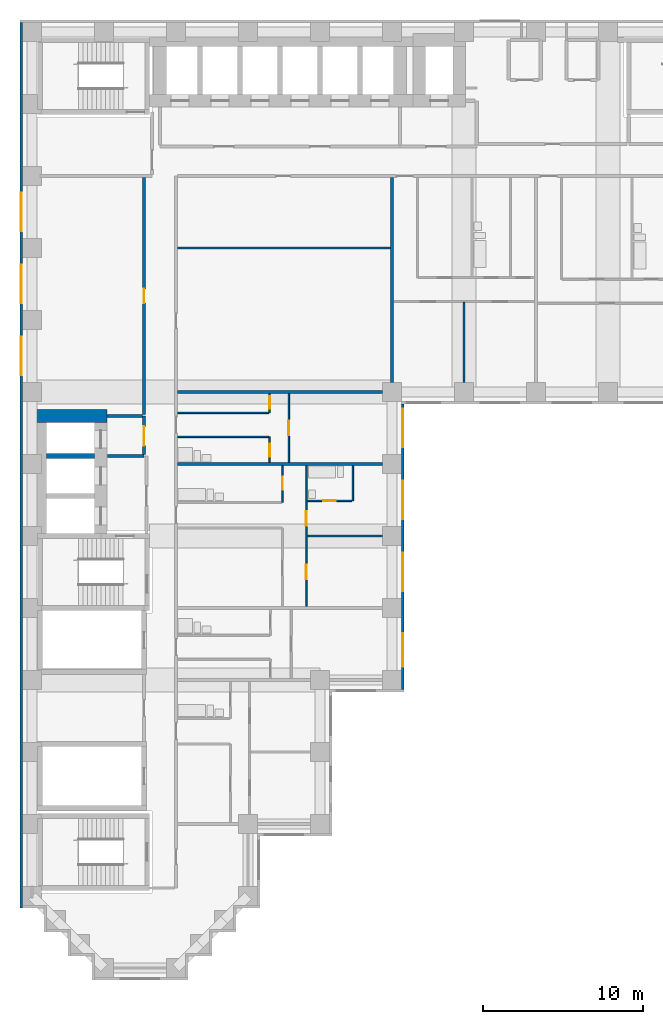
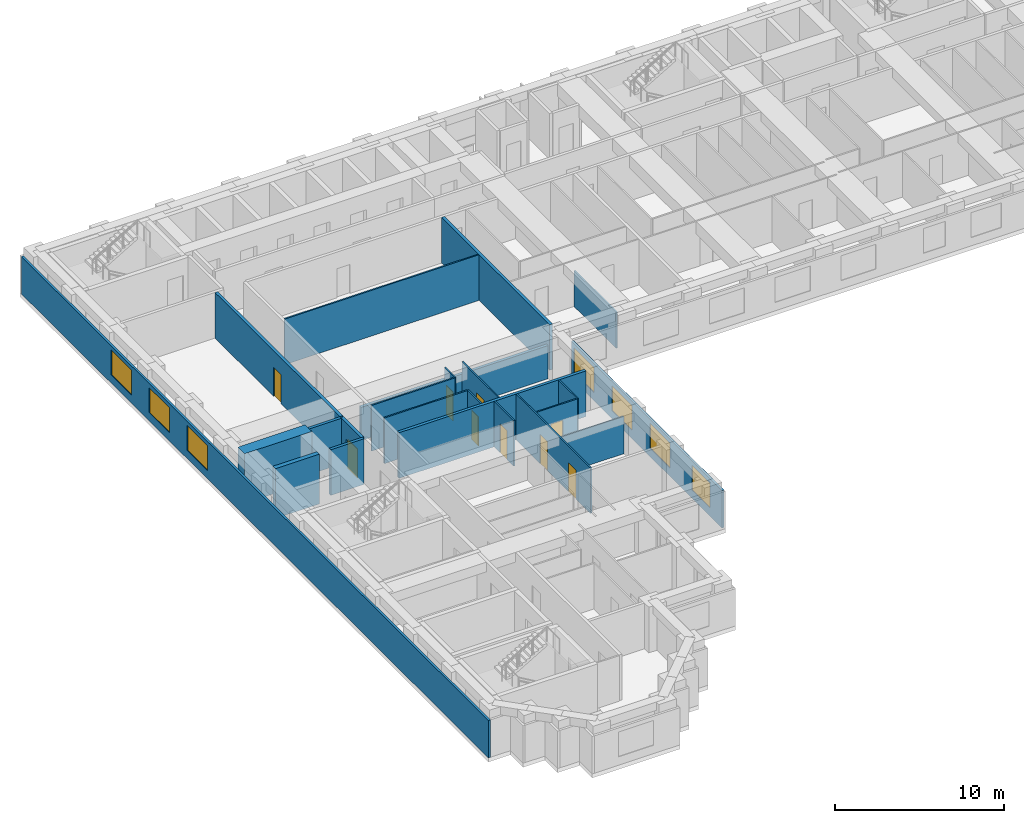
# One storey, part 4 of 11: 23 walls, 9 doors, 7 windows, 16 openings.
"""IFC4 building model written with IfcOpenShell, lengths in metres."""

from ifc_helpers import new_model, si_unit, direction, frame, frame_2d, origin, place, context, subcontext, project, spatial, rectangle, extrude, material, layer, layer_set, type_object, element, fill, save


model = new_model("IFC4")

# Units and contexts
model_context = context("Model", 3, precision=1e-05, world=origin(), true_north=direction((0.0, 1.0)))
body_context = subcontext(model_context, "Body", "Model", "MODEL_VIEW")
ifc_project = project(units=[si_unit("LENGTHUNIT", "METRE"), si_unit("AREAUNIT", "SQUARE_METRE"), si_unit("VOLUMEUNIT", "CUBIC_METRE"), si_unit("PLANEANGLEUNIT", "RADIAN"), si_unit("MASSUNIT", "GRAM", prefix="KILO")], contexts=[model_context])

# Site, building, storey
site_placement = place(None, origin())
site = spatial("IfcSite", under=ifc_project, at=site_placement, CompositionType="ELEMENT")
building_placement = place(site_placement, origin())
building = spatial("IfcBuilding", under=site, at=building_placement, Name="Firuza Court", CompositionType="ELEMENT")
storey_placement = place(building_placement, frame((0.0, 0.0, 86.60009765625)))
storey = spatial("IfcBuildingStorey", under=building, at=storey_placement, Name="L21", CompositionType="ELEMENT", Elevation=86.60009765625)

# Wall, opening, door
ifc_material_1 = material(Name="Moisture-resistant gypsum board partition")
ifc_layer_1 = layer(ifc_material_1, 0.10009765625)
ifc_layer_set_1 = layer_set([ifc_layer_1], Name="Moisture-resistant gypsum board partition")
wall_type_1 = type_object("IfcWallType", Name="Bathroom partition 100", PredefinedType="PLUMBINGWALL", material=ifc_layer_set_1)
wall_1_placement = place(storey_placement, frame((17.199951171875, 29.199951171875, 0.0), z_axis=(0.0, 0.0, 1.0), x_axis=(1.0, 0.0, 0.0)))
wall_1 = element("IfcWall", 1, at=wall_1_placement, inside=storey, type_object=wall_type_1, Name="Bathroom partition 100 L21", PredefinedType="PLUMBINGWALL", context=body_context, shape_type="SweptSolid", body=[
    extrude(rectangle(XDim=2.800048828125, YDim=0.10009765625, at=frame_2d((1.39990234375, 0.0))), origin(), (0.0, 0.0, 1.0), 3.2998046875),
])
opening_1_placement = place(wall_1_placement, frame((1.0, 0.0, 0.0)))
opening_1 = element("IfcOpeningElement", 2, at=opening_1_placement, cuts=wall_1, Name="Opening D21037", PredefinedType="OPENING", context=body_context, shape_type="SweptSolid", body=[
    extrude(rectangle(XDim=0.800048828125, YDim=2.10009765625, at=frame_2d((0.39990234375, 1.050048828125))), frame((0.0, 0.06201171875, 0.0), z_axis=(0.0, -1.0, 0.0), x_axis=(1.0, 0.0, 0.0)), (0.0, 0.0, 1.0), 0.1240234375),
])
ifc_material_2 = material(Name="Timber door leaf in hardwood frame", Category="wood")
door_type_1 = type_object("IfcDoorType", Name="Bathroom door 800", OperationType="SINGLE_SWING_LEFT", PredefinedType="DOOR", material=ifc_material_2)
door_1_placement = place(opening_1_placement, origin())
door_1 = element("IfcDoor", 3, at=door_1_placement, inside=storey, type_object=door_type_1, Name="En-suite door", OperationType="SINGLE_SWING_LEFT", OverallHeight=2.10009765625, OverallWidth=0.800048828125, PredefinedType="DOOR", context=body_context, shape_type="SweptSolid", body=[
    extrude(rectangle(XDim=0.800048828125, YDim=2.10009765625, at=frame_2d((0.39990234375, 1.050048828125))), frame((0.0, 0.02490234375, 0.0), z_axis=(0.0, -1.0, 0.0), x_axis=(1.0, 0.0, 0.0)), (0.0, 0.0, 1.0), 0.050048828125),
])
fill(opening_1, door_1)

# Walls
wall_2_placement = place(storey_placement, frame((20.050048828125, 29.199951171875, 0.0), z_axis=(0.0, 0.0, 1.0), x_axis=(0.0, 1.0, 0.0)))
element("IfcWall", 4, at=wall_2_placement, inside=storey, type_object=wall_type_1, Name="Bathroom partition 100 L21", PredefinedType="PLUMBINGWALL", context=body_context, shape_type="SweptSolid", body=[
    extrude(rectangle(XDim=2.199951171875, YDim=0.10009765625, at=frame_2d((1.10009765625, 0.0))), origin(), (0.0, 0.0, 1.0), 3.2998046875),
])
wall_3_placement = place(storey_placement, frame((9.10009765625, 33.199951171875, 0.0), z_axis=(0.0, 0.0, 1.0), x_axis=(1.0, 0.0, 0.0)))
element("IfcWall", 5, at=wall_3_placement, inside=storey, type_object=wall_type_1, Name="Bathroom partition 100 L21", PredefinedType="PLUMBINGWALL", context=body_context, shape_type="SweptSolid", body=[
    extrude(rectangle(XDim=5.699951171875, YDim=0.10009765625, at=frame_2d((2.85009765625, 0.0))), origin(), (0.0, 0.0, 1.0), 3.2998046875),
])
ifc_material_3 = material(Name="Concrete C60/75", Category="concrete")
ifc_layer_2 = layer(ifc_material_3, 0.300048828125)
ifc_layer_set_2 = layer_set([ifc_layer_2], Name="Concrete C60/75")
wall_type_2 = type_object("IfcWallType", Name="Core wall 300 C60/75", PredefinedType="SHEAR", material=ifc_layer_set_2)
wall_4_placement = place(storey_placement, frame((0.89990234375, 32.0, -0.300048828125), z_axis=(0.0, 0.0, 1.0), x_axis=(1.0, 0.0, 0.0)))
element("IfcWall", 6, at=wall_4_placement, inside=storey, type_object=wall_type_2, Name="Core wall lift shaft L21", PredefinedType="SHEAR", context=body_context, shape_type="SweptSolid", body=[
    extrude(rectangle(XDim=3.0, YDim=0.300048828125, at=frame_2d((1.5, 0.0))), origin(), (0.0, 0.0, 1.0), 3.599853515625),
])
ifc_layer_3 = layer(ifc_material_3, 0.800048828125)
ifc_layer_set_3 = layer_set([ifc_layer_3], Name="Concrete C60/75")
wall_type_3 = type_object("IfcWallType", Name="Core wall 800 C60/75", PredefinedType="SHEAR", material=ifc_layer_set_3)
wall_5_placement = place(storey_placement, frame((0.10009765625, 34.5, -0.300048828125), z_axis=(0.0, 0.0, 1.0), x_axis=(1.0, 0.0, 0.0)))
element("IfcWall", 7, at=wall_5_placement, inside=storey, type_object=wall_type_3, Name="Core wall lift shaft L21", PredefinedType="SHEAR", context=body_context, shape_type="SweptSolid", body=[
    extrude(rectangle(XDim=4.599853515625, YDim=0.800048828125, at=frame_2d((2.2998046875, 0.0))), origin(), (0.0, 0.0, 1.0), 3.599853515625),
])

# Wall, opening, door
ifc_material_4 = material(Name="Blockwork, plastered both sides", Category="masonry")
ifc_layer_4 = layer(ifc_material_4, 0.199951171875)
ifc_layer_set_4 = layer_set([ifc_layer_4], Name="Blockwork, plastered both sides")
wall_type_4 = type_object("IfcWallType", Name="Corridor wall 200", PredefinedType="PARTITIONING", material=ifc_layer_set_4)
wall_6_placement = place(storey_placement, frame((7.0, 34.60009765625, 0.0), z_axis=(0.0, 0.0, 1.0), x_axis=(0.0, 1.0, 0.0)))
wall_6 = element("IfcWall", 8, at=wall_6_placement, inside=storey, type_object=wall_type_4, Name="Corridor wall 200 L21", PredefinedType="PARTITIONING", context=body_context, shape_type="SweptSolid", body=[
    extrude(rectangle(XDim=14.7998046875, YDim=0.199951171875, at=frame_2d((7.39990234375, 0.0))), origin(), (0.0, 0.0, 1.0), 3.2998046875),
])
opening_2_placement = place(wall_6_placement, frame((6.949951171875, 0.0, 0.0)))
opening_2 = element("IfcOpeningElement", 9, at=opening_2_placement, cuts=wall_6, Name="Opening D21040", PredefinedType="OPENING", context=body_context, shape_type="SweptSolid", body=[
    extrude(rectangle(XDim=0.89990234375, YDim=2.10009765625, at=frame_2d((0.449951171875, 1.050048828125))), frame((0.0, 0.11181640625, 0.0), z_axis=(0.0, -1.0, 0.0), x_axis=(1.0, 0.0, 0.0)), (0.0, 0.0, 1.0), 0.223876953125),
])
ifc_material_5 = material(Name="Timber door leaf in hardwood frame", Category="wood")
door_type_2 = type_object("IfcDoorType", Name="Room door 900 EI 30", OperationType="SINGLE_SWING_LEFT", PredefinedType="DOOR", material=ifc_material_5)
door_2_placement = place(opening_2_placement, origin())
door_2 = element("IfcDoor", 10, at=door_2_placement, inside=storey, type_object=door_type_2, Name="Residents' workroom door", OperationType="SINGLE_SWING_LEFT", OverallHeight=2.10009765625, OverallWidth=0.89990234375, PredefinedType="DOOR", context=body_context, shape_type="SweptSolid", body=[
    extrude(rectangle(XDim=0.89990234375, YDim=2.10009765625, at=frame_2d((0.449951171875, 1.050048828125))), frame((0.0, 0.02490234375, 0.0), z_axis=(0.0, -1.0, 0.0), x_axis=(1.0, 0.0, 0.0)), (0.0, 0.0, 1.0), 0.050048828125),
])
fill(opening_2, door_2)

# Wall, openings, doors
ifc_material_6 = material(Name="Timber stud partition, plasterboard both sides", Category="wood")
ifc_layer_5 = layer(ifc_material_6, 0.10009765625)
ifc_layer_set_5 = layer_set([ifc_layer_5], Name="Timber stud partition, plasterboard both sides")
wall_type_5 = type_object("IfcWallType", Name="Partition wall 100", PredefinedType="PARTITIONING", material=ifc_layer_set_5)
wall_7_placement = place(storey_placement, frame((17.14990234375, 22.60009765625, 0.0), z_axis=(0.0, 0.0, 1.0), x_axis=(0.0, 1.0, 0.0)))
wall_7 = element("IfcWall", 11, at=wall_7_placement, inside=storey, type_object=wall_type_5, Name="Partition wall 100 L21", PredefinedType="PARTITIONING", context=body_context, shape_type="SweptSolid", body=[
    extrude(rectangle(XDim=8.7998046875, YDim=0.10009765625, at=frame_2d((4.39990234375, 0.0))), origin(), (0.0, 0.0, 1.0), 3.2998046875),
])
opening_3_placement = place(wall_7_placement, frame((1.699951171875, 0.0, 0.0)))
opening_3 = element("IfcOpeningElement", 12, at=opening_3_placement, cuts=wall_7, Name="Opening D21034", PredefinedType="OPENING", context=body_context, shape_type="SweptSolid", body=[
    extrude(rectangle(XDim=0.89990234375, YDim=2.10009765625, at=frame_2d((0.449951171875, 1.050048828125))), frame((0.0, 0.06201171875, 0.0), z_axis=(0.0, -1.0, 0.0), x_axis=(1.0, 0.0, 0.0)), (0.0, 0.0, 1.0), 0.1240234375),
])
opening_4_placement = place(wall_7_placement, frame((5.050048828125, 0.0, 0.0)))
opening_4 = element("IfcOpeningElement", 13, at=opening_4_placement, cuts=wall_7, Name="Opening D21035", PredefinedType="OPENING", context=body_context, shape_type="SweptSolid", body=[
    extrude(rectangle(XDim=0.89990234375, YDim=2.10009765625, at=frame_2d((0.449951171875, 1.050048828125))), frame((0.0, 0.06201171875, 0.0), z_axis=(0.0, -1.0, 0.0), x_axis=(1.0, 0.0, 0.0)), (0.0, 0.0, 1.0), 0.1240234375),
])
ifc_material_7 = material(Name="Timber door leaf in hardwood frame", Category="wood")
door_type_3 = type_object("IfcDoorType", Name="Room door 900", OperationType="SINGLE_SWING_LEFT", PredefinedType="DOOR", material=ifc_material_7)
door_3_placement = place(opening_3_placement, frame((0.89990234375, 0.0, 0.0), z_axis=(0.0, 0.0, 1.0), x_axis=(-1.0, 0.0, 0.0)))
door_3 = element("IfcDoor", 14, at=door_3_placement, inside=storey, type_object=door_type_3, Name="Living room door", OperationType="SINGLE_SWING_RIGHT", OverallHeight=2.10009765625, OverallWidth=0.89990234375, PredefinedType="DOOR", context=body_context, shape_type="SweptSolid", body=[
    extrude(rectangle(XDim=0.89990234375, YDim=2.10009765625, at=frame_2d((0.449951171875, 1.050048828125))), frame((0.0, 0.02490234375, 0.0), z_axis=(0.0, -1.0, 0.0), x_axis=(1.0, 0.0, 0.0)), (0.0, 0.0, 1.0), 0.050048828125),
])
fill(opening_3, door_3)
door_4_placement = place(opening_4_placement, frame((0.89990234375, 0.0, 0.0), z_axis=(0.0, 0.0, 1.0), x_axis=(-1.0, 0.0, 0.0)))
door_4 = element("IfcDoor", 15, at=door_4_placement, inside=storey, type_object=door_type_3, Name="Bedroom door", OperationType="SINGLE_SWING_RIGHT", OverallHeight=2.10009765625, OverallWidth=0.89990234375, PredefinedType="DOOR", context=body_context, shape_type="SweptSolid", body=[
    extrude(rectangle(XDim=0.89990234375, YDim=2.10009765625, at=frame_2d((0.449951171875, 1.050048828125))), frame((0.0, 0.02490234375, 0.0), z_axis=(0.0, -1.0, 0.0), x_axis=(1.0, 0.0, 0.0)), (0.0, 0.0, 1.0), 0.050048828125),
])
fill(opening_4, door_4)

# Wall
wall_8_placement = place(storey_placement, frame((17.199951171875, 27.0, 0.0), z_axis=(0.0, 0.0, 1.0), x_axis=(1.0, 0.0, 0.0)))
element("IfcWall", 16, at=wall_8_placement, inside=storey, type_object=wall_type_5, Name="Partition wall 100 L21", PredefinedType="PARTITIONING", context=body_context, shape_type="SweptSolid", body=[
    extrude(rectangle(XDim=4.699951171875, YDim=0.10009765625, at=frame_2d((2.35009765625, 0.0))), origin(), (0.0, 0.0, 1.0), 2.699951171875),
])

# Wall, opening, door
wall_9_placement = place(storey_placement, frame((15.64990234375, 29.10009765625, 0.0), z_axis=(0.0, 0.0, 1.0), x_axis=(0.0, 1.0, 0.0)))
wall_9 = element("IfcWall", 17, at=wall_9_placement, inside=storey, type_object=wall_type_5, Name="Partition wall 100 L21", PredefinedType="PARTITIONING", context=body_context, shape_type="SweptSolid", body=[
    extrude(rectangle(XDim=2.2998046875, YDim=0.10009765625, at=frame_2d((1.14990234375, 0.0))), origin(), (0.0, 0.0, 1.0), 3.2998046875),
])
opening_5_placement = place(wall_9_placement, frame((0.800048828125, 0.0, 0.0)))
opening_5 = element("IfcOpeningElement", 18, at=opening_5_placement, cuts=wall_9, Name="Opening D21036", PredefinedType="OPENING", context=body_context, shape_type="SweptSolid", body=[
    extrude(rectangle(XDim=0.800048828125, YDim=2.10009765625, at=frame_2d((0.39990234375, 1.050048828125))), frame((0.0, 0.06201171875, 0.0), z_axis=(0.0, -1.0, 0.0), x_axis=(1.0, 0.0, 0.0)), (0.0, 0.0, 1.0), 0.1240234375),
])
door_5_placement = place(opening_5_placement, origin())
door_5 = element("IfcDoor", 19, at=door_5_placement, inside=storey, type_object=door_type_1, Name="Bathroom door", OperationType="SINGLE_SWING_LEFT", OverallHeight=2.10009765625, OverallWidth=0.800048828125, PredefinedType="DOOR", context=body_context, shape_type="SweptSolid", body=[
    extrude(rectangle(XDim=0.800048828125, YDim=2.10009765625, at=frame_2d((0.39990234375, 1.050048828125))), frame((0.0, 0.02490234375, 0.0), z_axis=(0.0, -1.0, 0.0), x_axis=(1.0, 0.0, 0.0)), (0.0, 0.0, 1.0), 0.050048828125),
])
fill(opening_5, door_5)

wall_10_placement = place(storey_placement, frame((14.85009765625, 31.60009765625, 0.0), z_axis=(0.0, 0.0, 1.0), x_axis=(0.0, 1.0, 0.0)))
wall_10 = element("IfcWall", 20, at=wall_10_placement, inside=storey, type_object=wall_type_5, Name="Partition wall 100 L21", PredefinedType="PARTITIONING", context=body_context, shape_type="SweptSolid", body=[
    extrude(rectangle(XDim=1.599853515625, YDim=0.10009765625, at=frame_2d((0.7998046875, 0.0))), origin(), (0.0, 0.0, 1.0), 3.2998046875),
])
opening_6_placement = place(wall_10_placement, frame((0.35009765625, 0.0, 0.0)))
opening_6 = element("IfcOpeningElement", 21, at=opening_6_placement, cuts=wall_10, Name="Opening D21038", PredefinedType="OPENING", context=body_context, shape_type="SweptSolid", body=[
    extrude(rectangle(XDim=0.800048828125, YDim=2.10009765625, at=frame_2d((0.39990234375, 1.050048828125))), frame((0.0, 0.06201171875, 0.0), z_axis=(0.0, -1.0, 0.0), x_axis=(1.0, 0.0, 0.0)), (0.0, 0.0, 1.0), 0.1240234375),
])
door_6_placement = place(opening_6_placement, origin())
door_6 = element("IfcDoor", 22, at=door_6_placement, inside=storey, type_object=door_type_1, Name="Bathroom door", OperationType="SINGLE_SWING_LEFT", OverallHeight=2.10009765625, OverallWidth=0.800048828125, PredefinedType="DOOR", context=body_context, shape_type="SweptSolid", body=[
    extrude(rectangle(XDim=0.800048828125, YDim=2.10009765625, at=frame_2d((0.39990234375, 1.050048828125))), frame((0.0, 0.02490234375, 0.0), z_axis=(0.0, -1.0, 0.0), x_axis=(1.0, 0.0, 0.0)), (0.0, 0.0, 1.0), 0.050048828125),
])
fill(opening_6, door_6)

wall_11_placement = place(storey_placement, frame((16.050048828125, 31.60009765625, 0.0), z_axis=(0.0, 0.0, 1.0), x_axis=(0.0, 1.0, 0.0)))
wall_11 = element("IfcWall", 23, at=wall_11_placement, inside=storey, type_object=wall_type_5, Name="Partition wall 100 L21", PredefinedType="PARTITIONING", context=body_context, shape_type="SweptSolid", body=[
    extrude(rectangle(XDim=4.2998046875, YDim=0.10009765625, at=frame_2d((2.14990234375, 0.0))), origin(), (0.0, 0.0, 1.0), 3.2998046875),
])
opening_7_placement = place(wall_11_placement, frame((1.699951171875, 0.0, 0.0)))
opening_7 = element("IfcOpeningElement", 24, at=opening_7_placement, cuts=wall_11, Name="Opening D21039", PredefinedType="OPENING", context=body_context, shape_type="SweptSolid", body=[
    extrude(rectangle(XDim=0.89990234375, YDim=2.10009765625, at=frame_2d((0.449951171875, 1.050048828125))), frame((0.0, 0.06201171875, 0.0), z_axis=(0.0, -1.0, 0.0), x_axis=(1.0, 0.0, 0.0)), (0.0, 0.0, 1.0), 0.1240234375),
])
door_7_placement = place(opening_7_placement, frame((0.89990234375, 0.0, 0.0), z_axis=(0.0, 0.0, 1.0), x_axis=(-1.0, 0.0, 0.0)))
door_7 = element("IfcDoor", 25, at=door_7_placement, inside=storey, type_object=door_type_3, Name="Studio room door", OperationType="SINGLE_SWING_RIGHT", OverallHeight=2.10009765625, OverallWidth=0.89990234375, PredefinedType="DOOR", context=body_context, shape_type="SweptSolid", body=[
    extrude(rectangle(XDim=0.89990234375, YDim=2.10009765625, at=frame_2d((0.449951171875, 1.050048828125))), frame((0.0, 0.02490234375, 0.0), z_axis=(0.0, -1.0, 0.0), x_axis=(1.0, 0.0, 0.0)), (0.0, 0.0, 1.0), 0.050048828125),
])
fill(opening_7, door_7)

# Wall
wall_12_placement = place(storey_placement, frame((9.10009765625, 34.699951171875, 0.0), z_axis=(0.0, 0.0, 1.0), x_axis=(1.0, 0.0, 0.0)))
element("IfcWall", 26, at=wall_12_placement, inside=storey, type_object=wall_type_5, Name="Partition wall 100 L21", PredefinedType="PARTITIONING", context=body_context, shape_type="SweptSolid", body=[
    extrude(rectangle(XDim=5.699951171875, YDim=0.10009765625, at=frame_2d((2.85009765625, 0.0))), origin(), (0.0, 0.0, 1.0), 3.2998046875),
])

# Wall, opening, door
wall_13_placement = place(storey_placement, frame((14.85009765625, 34.699951171875, 0.0), z_axis=(0.0, 0.0, 1.0), x_axis=(0.0, 1.0, 0.0)))
wall_13 = element("IfcWall", 27, at=wall_13_placement, inside=storey, type_object=wall_type_5, Name="Partition wall 100 L21", PredefinedType="PARTITIONING", context=body_context, shape_type="SweptSolid", body=[
    extrude(rectangle(XDim=1.199951171875, YDim=0.10009765625, at=frame_2d((0.60009765625, 0.0))), origin(), (0.0, 0.0, 1.0), 3.2998046875),
])
opening_8_placement = place(wall_13_placement, frame((0.25, 0.0, 0.0)))
opening_8 = element("IfcOpeningElement", 28, at=opening_8_placement, cuts=wall_13, Name="Opening D21041", PredefinedType="OPENING", context=body_context, shape_type="SweptSolid", body=[
    extrude(rectangle(XDim=0.800048828125, YDim=2.10009765625, at=frame_2d((0.39990234375, 1.050048828125))), frame((0.0, 0.06201171875, 0.0), z_axis=(0.0, -1.0, 0.0), x_axis=(1.0, 0.0, 0.0)), (0.0, 0.0, 1.0), 0.1240234375),
])
ifc_material_8 = material(Name="Timber door leaf in hardwood frame", Category="wood")
door_type_4 = type_object("IfcDoorType", Name="Room door 800", OperationType="SINGLE_SWING_LEFT", PredefinedType="DOOR", material=ifc_material_8)
door_8_placement = place(opening_8_placement, origin())
door_8 = element("IfcDoor", 29, at=door_8_placement, inside=storey, type_object=door_type_4, Name="Kitchen door", OperationType="SINGLE_SWING_LEFT", OverallHeight=2.10009765625, OverallWidth=0.800048828125, PredefinedType="DOOR", context=body_context, shape_type="SweptSolid", body=[
    extrude(rectangle(XDim=0.800048828125, YDim=2.10009765625, at=frame_2d((0.39990234375, 1.050048828125))), frame((0.0, 0.02490234375, 0.0), z_axis=(0.0, -1.0, 0.0), x_axis=(1.0, 0.0, 0.0)), (0.0, 0.0, 1.0), 0.050048828125),
])
fill(opening_8, door_8)

# Walls
wall_14_placement = place(storey_placement, frame((27.0, 36.60009765625, 0.0), z_axis=(0.0, 0.0, 1.0), x_axis=(0.0, 1.0, 0.0)))
element("IfcWall", 30, at=wall_14_placement, inside=storey, type_object=wall_type_5, Name="Partition wall 100 L21", PredefinedType="PARTITIONING", context=body_context, shape_type="SweptSolid", body=[
    extrude(rectangle(XDim=5.0, YDim=0.10009765625, at=frame_2d((2.5, 0.0))), origin(), (0.0, 0.0, 1.0), 2.599853515625),
])
wall_15_placement = place(storey_placement, frame((9.10009765625, 45.0, 0.0), z_axis=(0.0, 0.0, 1.0), x_axis=(1.0, 0.0, 0.0)))
element("IfcWall", 31, at=wall_15_placement, inside=storey, type_object=wall_type_5, Name="Partition wall 100 L21", PredefinedType="PARTITIONING", context=body_context, shape_type="SweptSolid", body=[
    extrude(rectangle(XDim=13.2998046875, YDim=0.10009765625, at=frame_2d((6.64990234375, 0.0))), origin(), (0.0, 0.0, 1.0), 3.2998046875),
])
ifc_layer_6 = layer(ifc_material_4, 0.199951171875)
ifc_layer_set_6 = layer_set([ifc_layer_6], Name="Blockwork, plastered both sides")
wall_type_6 = type_object("IfcWallType", Name="Party wall 200", PredefinedType="PARTITIONING", material=ifc_layer_set_6)
wall_16_placement = place(storey_placement, frame((9.10009765625, 31.5, 0.0), z_axis=(0.0, 0.0, 1.0), x_axis=(1.0, 0.0, 0.0)))
element("IfcWall", 32, at=wall_16_placement, inside=storey, type_object=wall_type_6, Name="Party wall 200 L21", PredefinedType="PARTITIONING", context=body_context, shape_type="SweptSolid", body=[
    extrude(rectangle(XDim=12.7998046875, YDim=0.199951171875, at=frame_2d((6.39990234375, 0.0))), origin(), (0.0, 0.0, 1.0), 3.2998046875),
])
wall_17_placement = place(storey_placement, frame((9.10009765625, 36.0, 0.0), z_axis=(0.0, 0.0, 1.0), x_axis=(1.0, 0.0, 0.0)))
element("IfcWall", 33, at=wall_17_placement, inside=storey, type_object=wall_type_6, Name="Party wall 200 L21", PredefinedType="PARTITIONING", context=body_context, shape_type="SweptSolid", body=[
    extrude(rectangle(XDim=12.7998046875, YDim=0.199951171875, at=frame_2d((6.39990234375, 0.0))), origin(), (0.0, 0.0, 1.0), 2.39990234375),
])
wall_18_placement = place(storey_placement, frame((22.5, 36.60009765625, 0.0), z_axis=(0.0, 0.0, 1.0), x_axis=(0.0, 1.0, 0.0)))
element("IfcWall", 34, at=wall_18_placement, inside=storey, type_object=wall_type_6, Name="Party wall 200 L21", PredefinedType="PARTITIONING", context=body_context, shape_type="SweptSolid", body=[
    extrude(rectangle(XDim=12.7998046875, YDim=0.199951171875, at=frame_2d((6.39990234375, 0.0))), origin(), (0.0, 0.0, 1.0), 3.2998046875),
])

# Wall, openings, windows
ifc_material_9 = material(Name="Ceramic tile", Category="ceramic")
ifc_layer_7 = layer(ifc_material_9, 0.02001953125)
ifc_material_10 = material(Name="Mineral wool insulation", Category="insulation")
ifc_layer_8 = layer(ifc_material_10, 0.050048828125)
ifc_material_11 = material(Name="Concrete C40/50 precast", Category="concrete")
ifc_layer_9 = layer(ifc_material_11, 0.080078125)
ifc_layer_set_7 = layer_set([ifc_layer_7, ifc_layer_8, ifc_layer_9], Name="Concrete C40/50 precast")
wall_type_7 = type_object("IfcWallType", Name="Precast cladding wall with turquoise TILE PANEL face 150", PredefinedType="STANDARD", material=ifc_layer_set_7)
wall_19_placement = place(storey_placement, frame((23.175048828125, 17.39990234375, 0.0), z_axis=(0.0, 0.0, 1.0), x_axis=(0.0, 1.0, 0.0)))
wall_19 = element("IfcWall", 35, at=wall_19_placement, inside=storey, type_object=wall_type_7, Name="Facade wall L21 E", PredefinedType="STANDARD", context=body_context, shape_type="SweptSolid", body=[
    extrude(rectangle(XDim=17.85009765625, YDim=0.14990234375, at=frame_2d((8.925048828125, 0.0))), origin(), (0.0, 0.0, 1.0), 2.699951171875),
])
opening_9_placement = place(wall_19_placement, frame((1.43505859375, 0.0, 0.60009765625)))
opening_9 = element("IfcOpeningElement", 36, at=opening_9_placement, cuts=wall_19, Name="Opening W6", PredefinedType="OPENING", context=body_context, shape_type="SweptSolid", body=[
    extrude(rectangle(XDim=2.10009765625, YDim=1.800048828125, at=frame_2d((1.050048828125, 0.89990234375))), frame((0.0, 0.0869140625, 0.0), z_axis=(0.0, -1.0, 0.0), x_axis=(1.0, 0.0, 0.0)), (0.0, 0.0, 1.0), 0.173828125),
])
opening_10_placement = place(wall_19_placement, frame((6.14990234375, 0.0, 0.60009765625)))
opening_10 = element("IfcOpeningElement", 37, at=opening_10_placement, cuts=wall_19, Name="Opening W1", PredefinedType="OPENING", context=body_context, shape_type="SweptSolid", body=[
    extrude(rectangle(XDim=2.39990234375, YDim=1.800048828125, at=frame_2d((1.199951171875, 0.89990234375))), frame((0.0, 0.0869140625, 0.0), z_axis=(0.0, -1.0, 0.0), x_axis=(1.0, 0.0, 0.0)), (0.0, 0.0, 1.0), 0.173828125),
])
opening_11_placement = place(wall_19_placement, frame((10.64990234375, 0.0, 0.60009765625)))
opening_11 = element("IfcOpeningElement", 38, at=opening_11_placement, cuts=wall_19, Name="Opening W1", PredefinedType="OPENING", context=body_context, shape_type="SweptSolid", body=[
    extrude(rectangle(XDim=2.39990234375, YDim=1.800048828125, at=frame_2d((1.199951171875, 0.89990234375))), frame((0.0, 0.0869140625, 0.0), z_axis=(0.0, -1.0, 0.0), x_axis=(1.0, 0.0, 0.0)), (0.0, 0.0, 1.0), 0.173828125),
])
opening_12_placement = place(wall_19_placement, frame((15.14990234375, 0.0, 0.60009765625)))
opening_12 = element("IfcOpeningElement", 39, at=opening_12_placement, cuts=wall_19, Name="Opening W1", PredefinedType="OPENING", context=body_context, shape_type="SweptSolid", body=[
    extrude(rectangle(XDim=2.39990234375, YDim=1.800048828125, at=frame_2d((1.199951171875, 0.89990234375))), frame((0.0, 0.0869140625, 0.0), z_axis=(0.0, -1.0, 0.0), x_axis=(1.0, 0.0, 0.0)), (0.0, 0.0, 1.0), 0.173828125),
])
ifc_material_12 = material(Name="Aluminium frame, triple clear glazing", Category="aluminium")
window_type_1 = type_object("IfcWindowType", Name="Window W1 2400 x 1800", PartitioningType="SINGLE_PANEL", PredefinedType="WINDOW", material=ifc_material_12)
window_1_placement = place(opening_10_placement, origin())
window_1 = element("IfcWindow", 40, at=window_1_placement, inside=storey, type_object=window_type_1, Name="Window L21", OverallHeight=1.800048828125, OverallWidth=2.39990234375, PartitioningType="SINGLE_PANEL", PredefinedType="WINDOW", context=body_context, shape_type="SweptSolid", body=[
    extrude(rectangle(XDim=2.39990234375, YDim=1.800048828125, at=frame_2d((1.199951171875, 0.89990234375))), frame((0.0, 0.030029296875, 0.0), z_axis=(0.0, -1.0, 0.0), x_axis=(1.0, 0.0, 0.0)), (0.0, 0.0, 1.0), 0.06005859375),
])
fill(opening_10, window_1)
window_2_placement = place(opening_11_placement, origin())
window_2 = element("IfcWindow", 41, at=window_2_placement, inside=storey, type_object=window_type_1, Name="Window L21", OverallHeight=1.800048828125, OverallWidth=2.39990234375, PartitioningType="SINGLE_PANEL", PredefinedType="WINDOW", context=body_context, shape_type="SweptSolid", body=[
    extrude(rectangle(XDim=2.39990234375, YDim=1.800048828125, at=frame_2d((1.199951171875, 0.89990234375))), frame((0.0, 0.030029296875, 0.0), z_axis=(0.0, -1.0, 0.0), x_axis=(1.0, 0.0, 0.0)), (0.0, 0.0, 1.0), 0.06005859375),
])
fill(opening_11, window_2)
window_3_placement = place(opening_12_placement, origin())
window_3 = element("IfcWindow", 42, at=window_3_placement, inside=storey, type_object=window_type_1, Name="Window L21", OverallHeight=1.800048828125, OverallWidth=2.39990234375, PartitioningType="SINGLE_PANEL", PredefinedType="WINDOW", context=body_context, shape_type="SweptSolid", body=[
    extrude(rectangle(XDim=2.39990234375, YDim=1.800048828125, at=frame_2d((1.199951171875, 0.89990234375))), frame((0.0, 0.030029296875, 0.0), z_axis=(0.0, -1.0, 0.0), x_axis=(1.0, 0.0, 0.0)), (0.0, 0.0, 1.0), 0.06005859375),
])
fill(opening_12, window_3)
ifc_material_13 = material(Name="Aluminium frame, triple clear glazing", Category="aluminium")
window_type_2 = type_object("IfcWindowType", Name="Window W6 2100 x 1800", PartitioningType="SINGLE_PANEL", PredefinedType="WINDOW", material=ifc_material_13)
window_4_placement = place(opening_9_placement, origin())
window_4 = element("IfcWindow", 43, at=window_4_placement, inside=storey, type_object=window_type_2, Name="Window L21", OverallHeight=1.800048828125, OverallWidth=2.10009765625, PartitioningType="SINGLE_PANEL", PredefinedType="WINDOW", context=body_context, shape_type="SweptSolid", body=[
    extrude(rectangle(XDim=2.10009765625, YDim=1.800048828125, at=frame_2d((1.050048828125, 0.89990234375))), frame((0.0, 0.030029296875, 0.0), z_axis=(0.0, -1.0, 0.0), x_axis=(1.0, 0.0, 0.0)), (0.0, 0.0, 1.0), 0.06005859375),
])
fill(opening_9, window_4)

wall_20_placement = place(storey_placement, frame((-0.675048828125, 59.10009765625, 0.0), z_axis=(0.0, 0.0, 1.0), x_axis=(0.0, -1.0, 0.0)))
wall_20 = element("IfcWall", 44, at=wall_20_placement, inside=storey, type_object=wall_type_7, Name="Facade wall L21 W", PredefinedType="STANDARD", context=body_context, shape_type="SweptSolid", body=[
    extrude(rectangle(XDim=55.35009765625, YDim=0.14990234375, at=frame_2d((27.675048828125, 0.0))), origin(), (0.0, 0.0, 1.0), 2.699951171875),
])
opening_13_placement = place(wall_20_placement, frame((10.64990234375, 0.0, 0.60009765625)))
opening_13 = element("IfcOpeningElement", 45, at=opening_13_placement, cuts=wall_20, Name="Opening W1", PredefinedType="OPENING", context=body_context, shape_type="SweptSolid", body=[
    extrude(rectangle(XDim=2.39990234375, YDim=1.800048828125, at=frame_2d((1.199951171875, 0.89990234375))), frame((0.0, 0.0869140625, 0.0), z_axis=(0.0, -1.0, 0.0), x_axis=(1.0, 0.0, 0.0)), (0.0, 0.0, 1.0), 0.173828125),
])
opening_14_placement = place(wall_20_placement, frame((15.14990234375, 0.0, 0.60009765625)))
opening_14 = element("IfcOpeningElement", 46, at=opening_14_placement, cuts=wall_20, Name="Opening W1", PredefinedType="OPENING", context=body_context, shape_type="SweptSolid", body=[
    extrude(rectangle(XDim=2.39990234375, YDim=1.800048828125, at=frame_2d((1.199951171875, 0.89990234375))), frame((0.0, 0.0869140625, 0.0), z_axis=(0.0, -1.0, 0.0), x_axis=(1.0, 0.0, 0.0)), (0.0, 0.0, 1.0), 0.173828125),
])
opening_15_placement = place(wall_20_placement, frame((19.64990234375, 0.0, 0.60009765625)))
opening_15 = element("IfcOpeningElement", 47, at=opening_15_placement, cuts=wall_20, Name="Opening W1", PredefinedType="OPENING", context=body_context, shape_type="SweptSolid", body=[
    extrude(rectangle(XDim=2.39990234375, YDim=1.800048828125, at=frame_2d((1.199951171875, 0.89990234375))), frame((0.0, 0.0869140625, 0.0), z_axis=(0.0, -1.0, 0.0), x_axis=(1.0, 0.0, 0.0)), (0.0, 0.0, 1.0), 0.173828125),
])
window_5_placement = place(opening_13_placement, origin())
window_5 = element("IfcWindow", 48, at=window_5_placement, inside=storey, type_object=window_type_1, Name="Window L21", OverallHeight=1.800048828125, OverallWidth=2.39990234375, PartitioningType="SINGLE_PANEL", PredefinedType="WINDOW", context=body_context, shape_type="SweptSolid", body=[
    extrude(rectangle(XDim=2.39990234375, YDim=1.800048828125, at=frame_2d((1.199951171875, 0.89990234375))), frame((0.0, 0.030029296875, 0.0), z_axis=(0.0, -1.0, 0.0), x_axis=(1.0, 0.0, 0.0)), (0.0, 0.0, 1.0), 0.06005859375),
])
fill(opening_13, window_5)
window_6_placement = place(opening_14_placement, origin())
window_6 = element("IfcWindow", 49, at=window_6_placement, inside=storey, type_object=window_type_1, Name="Window L21", OverallHeight=1.800048828125, OverallWidth=2.39990234375, PartitioningType="SINGLE_PANEL", PredefinedType="WINDOW", context=body_context, shape_type="SweptSolid", body=[
    extrude(rectangle(XDim=2.39990234375, YDim=1.800048828125, at=frame_2d((1.199951171875, 0.89990234375))), frame((0.0, 0.030029296875, 0.0), z_axis=(0.0, -1.0, 0.0), x_axis=(1.0, 0.0, 0.0)), (0.0, 0.0, 1.0), 0.06005859375),
])
fill(opening_14, window_6)
window_7_placement = place(opening_15_placement, origin())
window_7 = element("IfcWindow", 50, at=window_7_placement, inside=storey, type_object=window_type_1, Name="Window L21", OverallHeight=1.800048828125, OverallWidth=2.39990234375, PartitioningType="SINGLE_PANEL", PredefinedType="WINDOW", context=body_context, shape_type="SweptSolid", body=[
    extrude(rectangle(XDim=2.39990234375, YDim=1.800048828125, at=frame_2d((1.199951171875, 0.89990234375))), frame((0.0, 0.030029296875, 0.0), z_axis=(0.0, -1.0, 0.0), x_axis=(1.0, 0.0, 0.0)), (0.0, 0.0, 1.0), 0.06005859375),
])
fill(opening_15, window_7)

# Wall
ifc_material_14 = material(Name="Blockwork, fire-rated", Category="masonry")
ifc_layer_10 = layer(ifc_material_14, 0.199951171875)
ifc_layer_set_8 = layer_set([ifc_layer_10], Name="Blockwork, fire-rated")
wall_type_8 = type_object("IfcWallType", Name="Shaft wall 200", PredefinedType="PARTITIONING", material=ifc_layer_set_8)
wall_21_placement = place(storey_placement, frame((4.719970703125, 32.0, 0.0), z_axis=(0.0, 0.0, 1.0), x_axis=(1.0, 0.0, 0.0)))
element("IfcWall", 51, at=wall_21_placement, inside=storey, type_object=wall_type_8, Name="Shaft wall 200 L21", PredefinedType="PARTITIONING", context=body_context, shape_type="SweptSolid", body=[
    extrude(rectangle(XDim=2.280029296875, YDim=0.199951171875, at=frame_2d((1.14013671875, 0.0))), origin(), (0.0, 0.0, 1.0), 3.2998046875),
])

# Wall, opening, door
wall_22_placement = place(storey_placement, frame((7.0, 32.10009765625, 0.0), z_axis=(0.0, 0.0, 1.0), x_axis=(0.0, 1.0, 0.0)))
wall_22 = element("IfcWall", 52, at=wall_22_placement, inside=storey, type_object=wall_type_8, Name="Shaft wall 200 L21", PredefinedType="PARTITIONING", context=body_context, shape_type="SweptSolid", body=[
    extrude(rectangle(XDim=2.39990234375, YDim=0.199951171875, at=frame_2d((1.199951171875, 0.0))), origin(), (0.0, 0.0, 1.0), 3.2998046875),
])
opening_16_placement = place(wall_22_placement, frame((0.550048828125, 0.0, 0.0)))
opening_16 = element("IfcOpeningElement", 53, at=opening_16_placement, cuts=wall_22, Name="Opening D21008", PredefinedType="OPENING", context=body_context, shape_type="SweptSolid", body=[
    extrude(rectangle(XDim=1.199951171875, YDim=2.10009765625, at=frame_2d((0.60009765625, 1.050048828125))), frame((0.0, 0.11181640625, 0.0), z_axis=(0.0, -1.0, 0.0), x_axis=(1.0, 0.0, 0.0)), (0.0, 0.0, 1.0), 0.223876953125),
])
ifc_material_15 = material(Name="Timber door leaf in hardwood frame", Category="wood")
door_type_5 = type_object("IfcDoorType", Name="Lobby door 1200", OperationType="SINGLE_SWING_LEFT", PredefinedType="DOOR", material=ifc_material_15)
door_9_placement = place(opening_16_placement, origin())
door_9 = element("IfcDoor", 54, at=door_9_placement, inside=storey, type_object=door_type_5, Name="Lobby door", OperationType="SINGLE_SWING_LEFT", OverallHeight=2.10009765625, OverallWidth=1.199951171875, PredefinedType="DOOR", context=body_context, shape_type="SweptSolid", body=[
    extrude(rectangle(XDim=1.199951171875, YDim=2.10009765625, at=frame_2d((0.60009765625, 1.050048828125))), frame((0.0, 0.02490234375, 0.0), z_axis=(0.0, -1.0, 0.0), x_axis=(1.0, 0.0, 0.0)), (0.0, 0.0, 1.0), 0.050048828125),
])
fill(opening_16, door_9)

# Wall
wall_23_placement = place(storey_placement, frame((4.699951171875, 34.5, 0.0), z_axis=(0.0, 0.0, 1.0), x_axis=(1.0, 0.0, 0.0)))
element("IfcWall", 55, at=wall_23_placement, inside=storey, type_object=wall_type_8, Name="Shaft wall 200 L21", PredefinedType="PARTITIONING", context=body_context, shape_type="SweptSolid", body=[
    extrude(rectangle(XDim=2.199951171875, YDim=0.199951171875, at=frame_2d((1.10009765625, 0.0))), origin(), (0.0, 0.0, 1.0), 3.2998046875),
])

save(model, "model.ifc")
